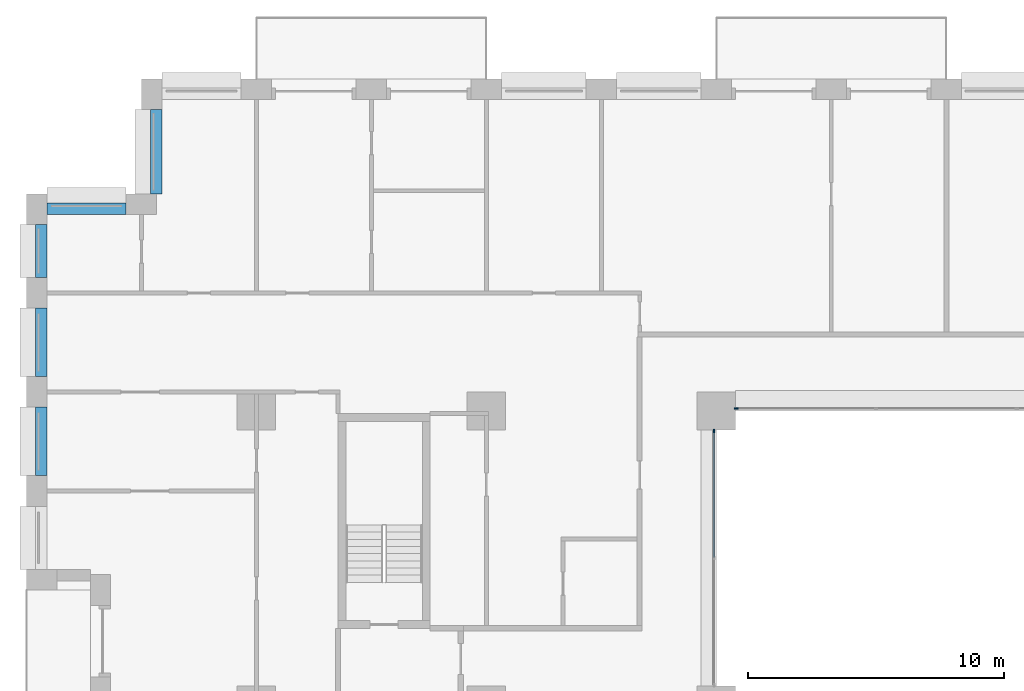
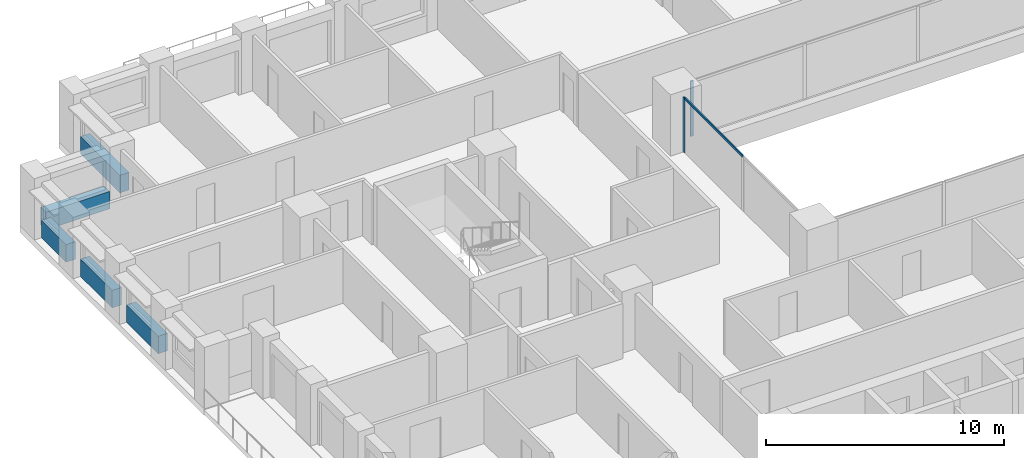
# One storey, part 5 of 19: 5 beams, 3 members, 2 elements without a shape of their own.
"""IFC4 building model written with IfcOpenShell, lengths in metres."""

import ifcopenshell
import ifcopenshell.guid

model = None  # the IFC model being written
_history = None  # IfcOwnerHistory: only IFC2X3 demands one
_inside = {}  # id of a spatial element -> (the spatial element, [elements in it])
_under = {}  # id of a project, library or spatial element -> (it, [spatial elements below it])
_declared = {}  # id of a project -> (the project, [libraries it declares])
_typed = {}  # id of a type object -> (the type object, [elements of that type])
_made_of = {}  # id of a material, layer set ... -> (it, [elements and type objects made of it])


def new_model(schema):
    """Start an empty IFC model of exactly this schema.

    Asked for "IFC4X3", IfcOpenShell would pick the latest addendum, in which some entities
    have other attributes; the version numbers below select the first issue.
    IFC2X3 requires an IfcOwnerHistory on every rooted entity: one is made here for all.
    """
    global model, _history
    if schema == "IFC4X3":
        model = ifcopenshell.file(schema_version=(4, 3, 0, 0))
    else:
        model = ifcopenshell.file(schema=schema)
    _inside.clear()
    _under.clear()
    _declared.clear()
    _typed.clear()
    _made_of.clear()
    _history = None
    if model.schema == "IFC2X3":
        org = make("IfcOrganization", Name="unknown")
        user = make(
            "IfcPersonAndOrganization",
            ThePerson=make("IfcPerson", FamilyName="unknown"),
            TheOrganization=org,
        )
        app = make(
            "IfcApplication",
            ApplicationDeveloper=org,
            Version="unknown",
            ApplicationFullName="unknown",
            ApplicationIdentifier="unknown",
        )
        _history = make(
            "IfcOwnerHistory",
            OwningUser=user,
            OwningApplication=app,
            ChangeAction="ADDED",
            CreationDate=0,
        )
    return model


def make(cls, **values):
    """One entity of the class cls with the attributes given. An attribute that is None is left unset."""
    return model.create_entity(
        cls, **{name: value for name, value in values.items() if value is not None}
    )


def rooted(cls, **values):
    """An entity with a GlobalId (a new one), such as an element, a storey or a relation."""
    return make(cls, GlobalId=ifcopenshell.guid.new(), OwnerHistory=_history, **values)


def si_unit(unit_type, name, prefix=None):
    """IfcSIUnit, for example si_unit("LENGTHUNIT", "METRE", prefix="MILLI")."""
    return make("IfcSIUnit", UnitType=unit_type, Prefix=prefix, Name=name)


def assignment(units):
    """IfcUnitAssignment: the units of a project."""
    return None if units is None else make("IfcUnitAssignment", Units=units)


def point(xyz):
    """IfcCartesianPoint."""
    return None if xyz is None else make("IfcCartesianPoint", Coordinates=xyz)


def direction(xyz):
    """IfcDirection."""
    return None if xyz is None else make("IfcDirection", DirectionRatios=xyz)


def frame(location, z_axis=None, x_axis=None):
    """IfcAxis2Placement3D, a coordinate frame: its origin and axes. An axis left out is left unset."""
    return make(
        "IfcAxis2Placement3D",
        Location=point(location),
        Axis=direction(z_axis),
        RefDirection=direction(x_axis),
    )


def frame_2d(location, x_axis=None):
    """IfcAxis2Placement2D, a coordinate frame in the plane: its origin and x axis."""
    return make(
        "IfcAxis2Placement2D", Location=point(location), RefDirection=direction(x_axis)
    )


def origin():
    """The frame at (0, 0, 0) with its axes left unset."""
    return frame((0.0, 0.0, 0.0))


def origin_2d():
    """The frame at (0, 0) in the plane with its x axis left unset."""
    return frame_2d((0.0, 0.0))


def place(relative_to, where):
    """IfcLocalPlacement: puts the frame where relative to a parent placement (None: the world)."""
    return make(
        "IfcLocalPlacement", PlacementRelTo=relative_to, RelativePlacement=where
    )


def context(
    kind, dimensions, precision=None, world=None, true_north=None, identifier=None
):
    """IfcGeometricRepresentationContext, for example the 3D "Model" context."""
    return make(
        "IfcGeometricRepresentationContext",
        ContextIdentifier=identifier,
        ContextType=kind,
        CoordinateSpaceDimension=dimensions,
        Precision=precision,
        WorldCoordinateSystem=world,
        TrueNorth=true_north,
    )


def subcontext(parent, identifier, kind, view, scale=None):
    """IfcGeometricRepresentationSubContext, for example "Body" below "Model"."""
    return make(
        "IfcGeometricRepresentationSubContext",
        ContextIdentifier=identifier,
        ContextType=kind,
        ParentContext=parent,
        TargetScale=scale,
        TargetView=view,
    )


def project(units=None, contexts=None):
    """IfcProject with its units and contexts."""
    return rooted(
        "IfcProject",
        Name="project",
        RepresentationContexts=contexts,
        UnitsInContext=assignment(units),
    )


def spatial(cls, under=None, at=None, **own):
    """A site, building, storey or space (cls), placed at a placement, below another one or the project."""
    s = rooted(cls, ObjectPlacement=at, **own)
    if under is not None:
        _under.setdefault(under.id(), (under, []))[1].append(s)
    return s


def profile(cls, at=None, kind="AREA", **sizes):
    """A parametric profile (cls). Its sizes go by their IFC names, for example OverallWidth=200.0."""
    return make(cls, ProfileType=kind, Position=at, **sizes)


def rectangle(**sizes):
    """IfcRectangleProfileDef."""
    return profile("IfcRectangleProfileDef", **sizes)


def extrude(swept, where, along, depth):
    """IfcExtrudedAreaSolid: the profile swept, set in the frame where, extruded along a direction by depth."""
    return make(
        "IfcExtrudedAreaSolid",
        SweptArea=swept,
        Position=where,
        ExtrudedDirection=direction(along),
        Depth=depth,
    )


def shape(context_of_items, identifier, shape_type, items):
    """IfcShapeRepresentation: the items that make up one representation, for example the "Body"."""
    return make(
        "IfcShapeRepresentation",
        ContextOfItems=context_of_items,
        RepresentationIdentifier=identifier,
        RepresentationType=shape_type,
        Items=items,
    )


def material(Name=None, Category=None):
    """IfcMaterial."""
    return make("IfcMaterial", Name=Name, Category=Category)


def layer(
    of_material, thickness, ventilated=None, Name=None, Category=None, Priority=None
):
    """IfcMaterialLayer: one layer of a wall or slab, of a material (None: an air gap)."""
    return make(
        "IfcMaterialLayer",
        Material=of_material,
        LayerThickness=thickness,
        IsVentilated=ventilated,
        Name=Name,
        Category=Category,
        Priority=Priority,
    )


def layer_set(layers, Name=None):
    """IfcMaterialLayerSet."""
    return make("IfcMaterialLayerSet", MaterialLayers=layers, LayerSetName=Name)


def material_profile(
    of_material, cross_section, Name=None, Category=None, Priority=None
):
    """IfcMaterialProfile: a cross section and its material."""
    return make(
        "IfcMaterialProfile",
        Name=Name,
        Material=of_material,
        Profile=cross_section,
        Priority=Priority,
        Category=Category,
    )


def profile_set(profiles, Name=None, composite=None):
    """IfcMaterialProfileSet."""
    return make(
        "IfcMaterialProfileSet",
        Name=Name,
        MaterialProfiles=profiles,
        CompositeProfile=composite,
    )


def made_of(thing, what):
    """Note that an element or type object is made of a material, layer set ...; save() writes the relation."""
    if what is not None:
        _made_of.setdefault(what.id(), (what, []))[1].append(thing)
    return thing


def type_object(cls, material=None, **own):
    """A type object (cls), such as IfcWallType, which elements share."""
    return made_of(rooted(cls, **own), material)


def element(
    cls,
    number,
    at=None,
    inside=None,
    cuts=None,
    type_object=None,
    material=None,
    context=None,
    identifier="Body",
    shape_type=None,
    held_by="IfcProductDefinitionShape",
    body=None,
    shapes=None,
    **own,
):
    """One element of the class cls, such as IfcWall. Its Tag is "e" and its number.

    at: its placement. inside: the storey or other place that contains it. cuts: it is an
    opening in that element (IfcRelVoidsElement). A single representation is given by context,
    identifier, shape_type and body (its items); several are given by shapes. held_by: the class
    of the entity that holds the representations. save() writes the other relations.
    """
    e = rooted(cls, Tag="e%d" % number, ObjectPlacement=at, **own)
    if body is not None:
        shapes = [shape(context, identifier, shape_type, body)]
    if shapes is not None:
        e.Representation = make(held_by, Representations=shapes)
    if inside is not None:
        _inside.setdefault(inside.id(), (inside, []))[1].append(e)
    if cuts is not None:
        rooted(
            "IfcRelVoidsElement", RelatingBuildingElement=cuts, RelatedOpeningElement=e
        )
    if type_object is not None:
        _typed.setdefault(type_object.id(), (type_object, []))[1].append(e)
    return made_of(e, material)


def aggregate(whole, parts):
    """IfcRelAggregates: a whole, such as a stair, and the parts it consists of."""
    return rooted("IfcRelAggregates", RelatingObject=whole, RelatedObjects=parts)


def save(model, path):
    """Write the relations noted so far, then the file.

    IfcRelAggregates (storeys below a building ...), IfcRelContainedInSpatialStructure (elements
    in a storey), IfcRelDefinesByType, IfcRelAssociatesMaterial and IfcRelDeclares: one each for
    every whole, place, type object, material and project.
    """
    for whole, parts in _under.values():
        aggregate(whole, parts)
    for where, things in _inside.values():
        rooted(
            "IfcRelContainedInSpatialStructure",
            RelatedElements=things,
            RelatingStructure=where,
        )
    for kind, things in _typed.values():
        rooted("IfcRelDefinesByType", RelatedObjects=things, RelatingType=kind)
    for what, things in _made_of.values():
        rooted("IfcRelAssociatesMaterial", RelatedObjects=things, RelatingMaterial=what)
    for by, libraries in _declared.values():
        rooted("IfcRelDeclares", RelatingContext=by, RelatedDefinitions=libraries)
    model.write(path)


model = new_model("IFC4")

# Units and contexts
model_context = context("Model", 3, precision=1e-05, world=origin(), true_north=direction((0.0, 1.0)))
body_context = subcontext(model_context, "Body", "Model", "MODEL_VIEW")
ifc_project = project(units=[si_unit("LENGTHUNIT", "METRE"), si_unit("AREAUNIT", "SQUARE_METRE"), si_unit("VOLUMEUNIT", "CUBIC_METRE"), si_unit("PLANEANGLEUNIT", "RADIAN"), si_unit("MASSUNIT", "GRAM", prefix="KILO")], contexts=[model_context])

# Site, building, storey
site_placement = place(None, origin())
site = spatial("IfcSite", under=ifc_project, at=site_placement, CompositionType="ELEMENT")
building_placement = place(site_placement, origin())
building = spatial("IfcBuilding", under=site, at=building_placement, Name="Brigalow Station Residences", CompositionType="ELEMENT")
storey_placement = place(building_placement, frame((0.0, 0.0, 22.64990234375)))
storey = spatial("IfcBuildingStorey", under=building, at=storey_placement, Name="L05", CompositionType="ELEMENT", Elevation=22.64990234375)

# Curtain wall, member
ifc_material_1 = material(Name="Aluminium", Category="aluminium")
ifc_layer = layer(ifc_material_1, 0.14990234375)
ifc_layer_set = layer_set([ifc_layer], Name="ATRIUM FIRE-RATED GLAZING CURTAIN WALL")
curtain_wall_type = type_object("IfcCurtainWallType", Name="ATRIUM FIRE-RATED GLAZING CURTAIN WALL", PredefinedType="NOTDEFINED", material=ifc_layer_set)
curtain_wall_1_placement = place(storey_placement, origin())
curtain_wall_1 = element("IfcCurtainWall", 1, at=curtain_wall_1_placement, inside=storey, type_object=curtain_wall_type, Name="L05/cw/atrium-N", PredefinedType="NOTDEFINED")
ifc_material_2 = material(Name="Aluminium", Category="aluminium")
ifc_material_profile_1 = material_profile(ifc_material_2, rectangle(XDim=0.06005859375, YDim=0.14990234375, at=origin_2d()), Name="ATRIUM FIRE-RATED GLAZING MULLION 60x150")
ifc_profile_set_1 = profile_set([ifc_material_profile_1], Name="Aluminium")
member_type_1 = type_object("IfcMemberType", Name="ATRIUM FIRE-RATED GLAZING MULLION 60x150", PredefinedType="MULLION", material=ifc_profile_set_1)
member_1_placement = place(storey_placement, frame((27.780029296875, 35.60009765625, 0.0), z_axis=(0.0, 0.0, 1.0), x_axis=(0.0, -1.0, 0.0)))
member_1 = element("IfcMember", 2, at=member_1_placement, type_object=member_type_1, Name="L05/cw/atrium-N/M03", PredefinedType="MULLION", context=body_context, shape_type="SweptSolid", body=[
    extrude(rectangle(XDim=0.06005859375, YDim=0.14990234375, at=origin_2d()), origin(), (0.0, 0.0, 1.0), 2.830078125),
])
aggregate(curtain_wall_1, [member_1])

# Curtain wall, members
curtain_wall_2_placement = place(storey_placement, origin())
curtain_wall_2 = element("IfcCurtainWall", 3, at=curtain_wall_2_placement, inside=storey, type_object=curtain_wall_type, Name="L05/cw/atrium-W", PredefinedType="NOTDEFINED")
member_2_placement = place(storey_placement, frame((26.89990234375, 34.719970703125, 0.0), z_axis=(0.0, 0.0, 1.0), x_axis=(1.0, 0.0, 0.0)))
member_2 = element("IfcMember", 4, at=member_2_placement, type_object=member_type_1, Name="L05/cw/atrium-W/M00", PredefinedType="MULLION", context=body_context, shape_type="SweptSolid", body=[
    extrude(rectangle(XDim=0.06005859375, YDim=0.14990234375, at=origin_2d()), origin(), (0.0, 0.0, 1.0), 2.830078125),
])
ifc_material_3 = material(Name="Aluminium", Category="aluminium")
ifc_material_profile_2 = material_profile(ifc_material_3, rectangle(XDim=0.06005859375, YDim=0.1201171875, at=origin_2d()), Name="ATRIUM FIRE-RATED GLAZING TRANSOM 60x120")
ifc_profile_set_2 = profile_set([ifc_material_profile_2], Name="Aluminium")
member_type_2 = type_object("IfcMemberType", Name="ATRIUM FIRE-RATED GLAZING TRANSOM 60x120", PredefinedType="USERDEFINED", material=ifc_profile_set_2)
member_3_placement = place(storey_placement, frame((26.89990234375, 34.68994140625, 2.800048828125), z_axis=(0.0, -1.0, 0.0), x_axis=(1.0, 0.0, 0.0)))
member_3 = element("IfcMember", 5, at=member_3_placement, type_object=member_type_2, Name="L05/cw/atrium-W/T00-00", ObjectType="TRANSOM", PredefinedType="USERDEFINED", context=body_context, shape_type="SweptSolid", body=[
    extrude(rectangle(XDim=0.06005859375, YDim=0.1201171875, at=origin_2d()), origin(), (0.0, 0.0, 1.0), 4.909912109375),
])
aggregate(curtain_wall_2, [member_2, member_3])

# Beams
ifc_material_4 = material(Name="Concrete C65", Category="concrete")
ifc_material_profile_3 = material_profile(ifc_material_4, rectangle(XDim=0.449951171875, YDim=0.89990234375, at=origin_2d()), Name="RC450x900")
ifc_profile_set_3 = profile_set([ifc_material_profile_3], Name="Concrete C65")
beam_type = type_object("IfcBeamType", Name="SPANDREL BEAM 450x900 C65", PredefinedType="SPANDREL", material=ifc_profile_set_3)
beam_1_placement = place(storey_placement, frame((5.074951171875, 47.300048828125, 0.4501953125), z_axis=(0.0, -1.0, 0.0), x_axis=(1.0, 0.0, 0.0)))
element("IfcBeam", 6, at=beam_1_placement, inside=storey, type_object=beam_type, Name="L05/spandrel/W-L05-40", PredefinedType="SPANDREL", context=body_context, shape_type="SweptSolid", body=[
    extrude(rectangle(XDim=0.449951171875, YDim=0.89990234375, at=origin_2d()), origin(), (0.0, 0.0, 1.0), 3.300048828125),
])
beam_2_placement = place(storey_placement, frame((3.89990234375, 43.425048828125, 0.4501953125), z_axis=(-1.0, 0.0, 0.0), x_axis=(0.0, -1.0, 0.0)))
element("IfcBeam", 7, at=beam_2_placement, inside=storey, type_object=beam_type, Name="L05/spandrel/W-L05-41", PredefinedType="SPANDREL", context=body_context, shape_type="SweptSolid", body=[
    extrude(rectangle(XDim=0.449951171875, YDim=0.89990234375, at=origin_2d()), origin(), (0.0, 0.0, 1.0), 3.099853515625),
])
beam_3_placement = place(storey_placement, frame((0.574951171875, 42.800048828125, 0.4501953125), z_axis=(0.0, -1.0, 0.0), x_axis=(1.0, 0.0, 0.0)))
element("IfcBeam", 8, at=beam_3_placement, inside=storey, type_object=beam_type, Name="L05/spandrel/W-L05-42", PredefinedType="SPANDREL", context=body_context, shape_type="SweptSolid", body=[
    extrude(rectangle(XDim=0.449951171875, YDim=0.89990234375, at=origin_2d()), origin(), (0.0, 0.0, 1.0), 2.074951171875),
])
for number, where, z_axis, x_axis, name in (
    (9, (0.574951171875, 39.52490234375, 0.4501953125), (0.0, -1.0, 0.0), (1.0, 0.0, 0.0), "L05/spandrel/W-L05-43"),
    (10, (0.574951171875, 35.64990234375, 0.4501953125), (0.0, -1.0, 0.0), (1.0, 0.0, 0.0), "L05/spandrel/W-L05-44"),
):
    element("IfcBeam", number, at=place(storey_placement, frame(where, z_axis=z_axis, x_axis=x_axis)), inside=storey, type_object=beam_type, Name=name, PredefinedType="SPANDREL", context=body_context, shape_type="SweptSolid", body=[
        extrude(rectangle(XDim=0.449951171875, YDim=0.89990234375, at=origin_2d()), origin(), (0.0, 0.0, 1.0), 2.6748046875),
    ])

save(model, "model.ifc")
